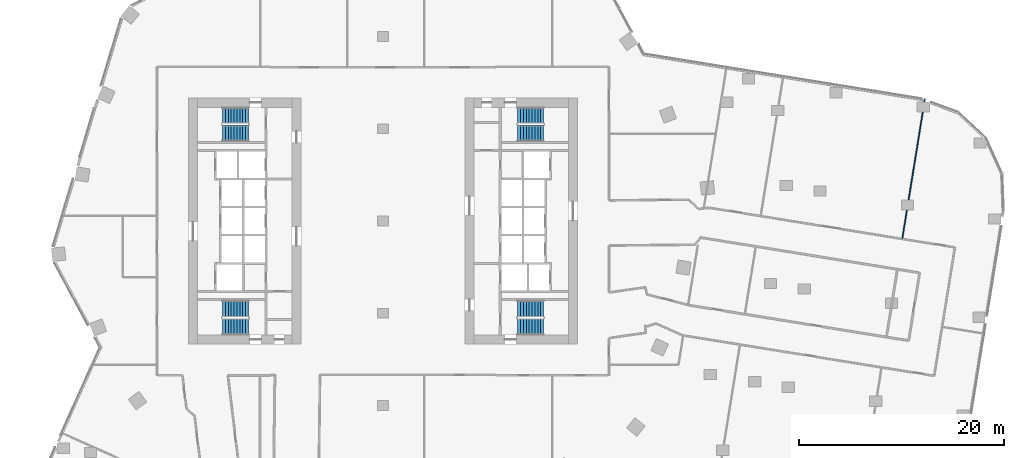
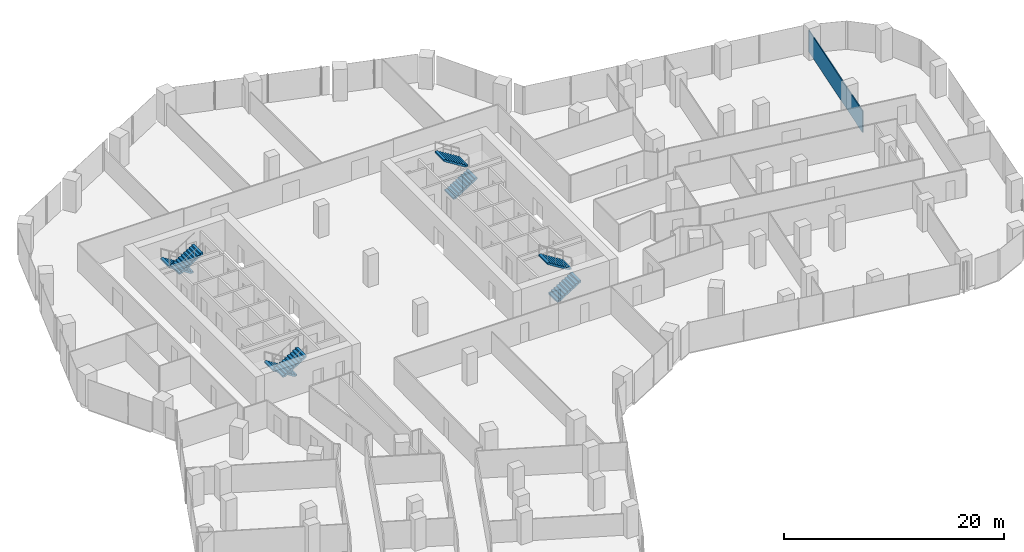
# One storey, part 30 of 34: 8 stair flights, 1 wall, 4 elements without a shape of their own.
"""IFC4 building model written with IfcOpenShell, lengths in metres."""

from ifc_helpers import new_model, si_unit, direction, frame, frame_2d, origin, place, context, subcontext, project, spatial, polyline, rectangle, outline, extrude, material, layer, layer_set, type_object, element, aggregate, save


model = new_model("IFC4")

# Units and contexts
model_context = context("Model", 3, precision=1e-05, world=origin(), true_north=direction((0.0, 1.0)))
body_context = subcontext(model_context, "Body", "Model", "MODEL_VIEW")
ifc_project = project(units=[si_unit("LENGTHUNIT", "METRE"), si_unit("AREAUNIT", "SQUARE_METRE"), si_unit("VOLUMEUNIT", "CUBIC_METRE"), si_unit("PLANEANGLEUNIT", "RADIAN"), si_unit("MASSUNIT", "GRAM", prefix="KILO")], contexts=[model_context])

# Site, building, storey
site_placement = place(None, origin())
site = spatial("IfcSite", under=ifc_project, at=site_placement, CompositionType="ELEMENT")
building_placement = place(site_placement, origin())
building = spatial("IfcBuilding", under=site, at=building_placement, Name="Orlundy Tower", CompositionType="ELEMENT")
storey_placement = place(building_placement, frame((0.0, 0.0, 134.199951171875)))
storey = spatial("IfcBuildingStorey", under=building, at=storey_placement, Name="L34", CompositionType="ELEMENT", Elevation=134.199951171875)

# Wall
ifc_material_1 = material(Name="Gypsum board partition")
ifc_layer = layer(ifc_material_1, 0.10009765625)
ifc_layer_set = layer_set([ifc_layer], Name="Floor partition 100 B")
wall_type = type_object("IfcWallType", Name="Floor partition 100 B", PredefinedType="PARTITIONING", material=ifc_layer_set)
wall_placement = place(storey_placement, frame((50.678955078125, -1.681884765625, 0.0), z_axis=(0.0, 0.0, 1.0), x_axis=(0.159341041875, 0.987223597963, 0.0)))
element("IfcWall", 1, at=wall_placement, inside=storey, type_object=wall_type, Name="wall-int-L34-066", PredefinedType="PARTITIONING", context=body_context, shape_type="SweptSolid", body=[
    extrude(rectangle(XDim=13.781982421875, YDim=0.10009765625, at=frame_2d((6.89111328125, 0.0))), origin(), (0.0, 0.0, 1.0), 2.39501953125),
])

# Stair, stair flights
ifc_material_2 = material(Name="Concrete C50/60", Category="concrete")
stair_type = type_object("IfcStairType", Name="Exit Stair 20 risers", PredefinedType="HALF_TURN_STAIR", material=ifc_material_2)
stair_1_placement = place(storey_placement, origin())
stair_1 = element("IfcStair", 2, at=stair_1_placement, inside=storey, type_object=stair_type, Name="L34 Exit Stair ST-W1", PredefinedType="HALF_TURN_STAIR")
ifc_material_3 = material(Name="Concrete C50/60", Category="concrete")
stair_flight_type = type_object("IfcStairFlightType", Name="Stair Flight 10 risers", PredefinedType="STRAIGHT", material=ifc_material_3)
stair_flight_1_placement = place(storey_placement, frame((-13.139892578125, 10.300048828125, 0.0), z_axis=(0.0, 0.0, 1.0), x_axis=(-1.0, 0.0, 0.0)))
stair_flight_1 = element("IfcStairFlight", 3, at=stair_flight_1_placement, type_object=stair_flight_type, Name="ST-W1 flight 1", NumberOfRisers=10, NumberOfTreads=9, PredefinedType="STRAIGHT", RiserHeight=0.175, TreadLength=0.28, context=body_context, shape_type="SweptSolid", body=[
    extrude(outline(polyline([(0.0, 0.0), (0.0, 0.175048828125), (0.280029296875, 0.175048828125), (0.280029296875, 0.35009765625), (0.56005859375, 0.35009765625), (0.56005859375, 0.52490234375), (0.840087890625, 0.52490234375), (0.840087890625, 0.699951171875), (1.1201171875, 0.699951171875), (1.1201171875, 0.875), (1.39990234375, 0.875), (1.39990234375, 1.050048828125), (1.679931640625, 1.050048828125), (1.679931640625, 1.22509765625), (1.9599609375, 1.22509765625), (1.9599609375, 1.39990234375), (2.239990234375, 1.39990234375), (2.239990234375, 1.574951171875), (2.52001953125, 1.574951171875), (2.52001953125, 1.75), (2.52001953125, 1.398193359375), (0.28271484375, 0.0), (0.0, 0.0)])), frame((0.0, 0.800048828125, 0.0), z_axis=(0.0, -1.0, 0.0), x_axis=(1.0, 0.0, 0.0)), (0.0, 0.0, 1.0), 1.60009765625),
])
stair_flight_2_placement = place(storey_placement, frame((-15.659912109375, 8.550048828125, 1.75), z_axis=(0.0, 0.0, 1.0), x_axis=(1.0, 0.0, 0.0)))
stair_flight_2 = element("IfcStairFlight", 4, at=stair_flight_2_placement, type_object=stair_flight_type, Name="ST-W1 flight 2", NumberOfRisers=10, NumberOfTreads=9, PredefinedType="STRAIGHT", RiserHeight=0.175, TreadLength=0.28, context=body_context, shape_type="SweptSolid", body=[
    extrude(outline(polyline([(0.0, 0.0), (0.0, 0.175048828125), (0.280029296875, 0.175048828125), (0.280029296875, 0.35009765625), (0.56005859375, 0.35009765625), (0.56005859375, 0.52490234375), (0.840087890625, 0.52490234375), (0.840087890625, 0.699951171875), (1.1201171875, 0.699951171875), (1.1201171875, 0.875), (1.39990234375, 0.875), (1.39990234375, 1.050048828125), (1.679931640625, 1.050048828125), (1.679931640625, 1.22509765625), (1.9599609375, 1.22509765625), (1.9599609375, 1.39990234375), (2.239990234375, 1.39990234375), (2.239990234375, 1.574951171875), (2.52001953125, 1.574951171875), (2.52001953125, 1.75), (2.52001953125, 1.398193359375), (0.28271484375, 0.0), (0.0, 0.0)])), frame((0.0, 0.800048828125, 0.0), z_axis=(0.0, -1.0, 0.0), x_axis=(1.0, 0.0, 0.0)), (0.0, 0.0, 1.0), 1.60009765625),
])
aggregate(stair_1, [stair_flight_1, stair_flight_2])

stair_2_placement = place(storey_placement, origin())
stair_2 = element("IfcStair", 5, at=stair_2_placement, inside=storey, type_object=stair_type, Name="L34 Exit Stair ST-W2", PredefinedType="HALF_TURN_STAIR")
stair_flight_3_placement = place(storey_placement, frame((-13.139892578125, -8.550048828125, 0.0), z_axis=(0.0, 0.0, 1.0), x_axis=(-1.0, 0.0, 0.0)))
stair_flight_3 = element("IfcStairFlight", 6, at=stair_flight_3_placement, type_object=stair_flight_type, Name="ST-W2 flight 1", NumberOfRisers=10, NumberOfTreads=9, PredefinedType="STRAIGHT", RiserHeight=0.175, TreadLength=0.28, context=body_context, shape_type="SweptSolid", body=[
    extrude(outline(polyline([(0.0, 0.0), (0.0, 0.175048828125), (0.280029296875, 0.175048828125), (0.280029296875, 0.35009765625), (0.56005859375, 0.35009765625), (0.56005859375, 0.52490234375), (0.840087890625, 0.52490234375), (0.840087890625, 0.699951171875), (1.1201171875, 0.699951171875), (1.1201171875, 0.875), (1.39990234375, 0.875), (1.39990234375, 1.050048828125), (1.679931640625, 1.050048828125), (1.679931640625, 1.22509765625), (1.9599609375, 1.22509765625), (1.9599609375, 1.39990234375), (2.239990234375, 1.39990234375), (2.239990234375, 1.574951171875), (2.52001953125, 1.574951171875), (2.52001953125, 1.75), (2.52001953125, 1.398193359375), (0.28271484375, 0.0), (0.0, 0.0)])), frame((0.0, 0.800048828125, 0.0), z_axis=(0.0, -1.0, 0.0), x_axis=(1.0, 0.0, 0.0)), (0.0, 0.0, 1.0), 1.60009765625),
])
stair_flight_4_placement = place(storey_placement, frame((-15.659912109375, -10.300048828125, 1.75), z_axis=(0.0, 0.0, 1.0), x_axis=(1.0, 0.0, 0.0)))
stair_flight_4 = element("IfcStairFlight", 7, at=stair_flight_4_placement, type_object=stair_flight_type, Name="ST-W2 flight 2", NumberOfRisers=10, NumberOfTreads=9, PredefinedType="STRAIGHT", RiserHeight=0.175, TreadLength=0.28, context=body_context, shape_type="SweptSolid", body=[
    extrude(outline(polyline([(0.0, 0.0), (0.0, 0.175048828125), (0.280029296875, 0.175048828125), (0.280029296875, 0.35009765625), (0.56005859375, 0.35009765625), (0.56005859375, 0.52490234375), (0.840087890625, 0.52490234375), (0.840087890625, 0.699951171875), (1.1201171875, 0.699951171875), (1.1201171875, 0.875), (1.39990234375, 0.875), (1.39990234375, 1.050048828125), (1.679931640625, 1.050048828125), (1.679931640625, 1.22509765625), (1.9599609375, 1.22509765625), (1.9599609375, 1.39990234375), (2.239990234375, 1.39990234375), (2.239990234375, 1.574951171875), (2.52001953125, 1.574951171875), (2.52001953125, 1.75), (2.52001953125, 1.398193359375), (0.28271484375, 0.0), (0.0, 0.0)])), frame((0.0, 0.800048828125, 0.0), z_axis=(0.0, -1.0, 0.0), x_axis=(1.0, 0.0, 0.0)), (0.0, 0.0, 1.0), 1.60009765625),
])
aggregate(stair_2, [stair_flight_3, stair_flight_4])

stair_3_placement = place(storey_placement, origin())
stair_3 = element("IfcStair", 8, at=stair_3_placement, inside=storey, type_object=stair_type, Name="L34 Exit Stair ST-E1", PredefinedType="HALF_TURN_STAIR")
stair_flight_5_placement = place(storey_placement, frame((13.139892578125, -10.300048828125, 0.0), z_axis=(0.0, 0.0, 1.0), x_axis=(1.0, 0.0, 0.0)))
stair_flight_5 = element("IfcStairFlight", 9, at=stair_flight_5_placement, type_object=stair_flight_type, Name="ST-E1 flight 1", NumberOfRisers=10, NumberOfTreads=9, PredefinedType="STRAIGHT", RiserHeight=0.175, TreadLength=0.28, context=body_context, shape_type="SweptSolid", body=[
    extrude(outline(polyline([(0.0, 0.0), (0.0, 0.175048828125), (0.280029296875, 0.175048828125), (0.280029296875, 0.35009765625), (0.56005859375, 0.35009765625), (0.56005859375, 0.52490234375), (0.840087890625, 0.52490234375), (0.840087890625, 0.699951171875), (1.1201171875, 0.699951171875), (1.1201171875, 0.875), (1.39990234375, 0.875), (1.39990234375, 1.050048828125), (1.679931640625, 1.050048828125), (1.679931640625, 1.22509765625), (1.9599609375, 1.22509765625), (1.9599609375, 1.39990234375), (2.239990234375, 1.39990234375), (2.239990234375, 1.574951171875), (2.52001953125, 1.574951171875), (2.52001953125, 1.75), (2.52001953125, 1.398193359375), (0.28271484375, 0.0), (0.0, 0.0)])), frame((0.0, 0.800048828125, 0.0), z_axis=(0.0, -1.0, 0.0), x_axis=(1.0, 0.0, 0.0)), (0.0, 0.0, 1.0), 1.60009765625),
])
stair_flight_6_placement = place(storey_placement, frame((15.659912109375, -8.550048828125, 1.75), z_axis=(0.0, 0.0, 1.0), x_axis=(-1.0, 0.0, 0.0)))
stair_flight_6 = element("IfcStairFlight", 10, at=stair_flight_6_placement, type_object=stair_flight_type, Name="ST-E1 flight 2", NumberOfRisers=10, NumberOfTreads=9, PredefinedType="STRAIGHT", RiserHeight=0.175, TreadLength=0.28, context=body_context, shape_type="SweptSolid", body=[
    extrude(outline(polyline([(0.0, 0.0), (0.0, 0.175048828125), (0.280029296875, 0.175048828125), (0.280029296875, 0.35009765625), (0.56005859375, 0.35009765625), (0.56005859375, 0.52490234375), (0.840087890625, 0.52490234375), (0.840087890625, 0.699951171875), (1.1201171875, 0.699951171875), (1.1201171875, 0.875), (1.39990234375, 0.875), (1.39990234375, 1.050048828125), (1.679931640625, 1.050048828125), (1.679931640625, 1.22509765625), (1.9599609375, 1.22509765625), (1.9599609375, 1.39990234375), (2.239990234375, 1.39990234375), (2.239990234375, 1.574951171875), (2.52001953125, 1.574951171875), (2.52001953125, 1.75), (2.52001953125, 1.398193359375), (0.28271484375, 0.0), (0.0, 0.0)])), frame((0.0, 0.800048828125, 0.0), z_axis=(0.0, -1.0, 0.0), x_axis=(1.0, 0.0, 0.0)), (0.0, 0.0, 1.0), 1.60009765625),
])
aggregate(stair_3, [stair_flight_5, stair_flight_6])

stair_4_placement = place(storey_placement, origin())
stair_4 = element("IfcStair", 11, at=stair_4_placement, inside=storey, type_object=stair_type, Name="L34 Exit Stair ST-E2", PredefinedType="HALF_TURN_STAIR")
stair_flight_7_placement = place(storey_placement, frame((13.139892578125, 8.550048828125, 0.0), z_axis=(0.0, 0.0, 1.0), x_axis=(1.0, 0.0, 0.0)))
stair_flight_7 = element("IfcStairFlight", 12, at=stair_flight_7_placement, type_object=stair_flight_type, Name="ST-E2 flight 1", NumberOfRisers=10, NumberOfTreads=9, PredefinedType="STRAIGHT", RiserHeight=0.175, TreadLength=0.28, context=body_context, shape_type="SweptSolid", body=[
    extrude(outline(polyline([(0.0, 0.0), (0.0, 0.175048828125), (0.280029296875, 0.175048828125), (0.280029296875, 0.35009765625), (0.56005859375, 0.35009765625), (0.56005859375, 0.52490234375), (0.840087890625, 0.52490234375), (0.840087890625, 0.699951171875), (1.1201171875, 0.699951171875), (1.1201171875, 0.875), (1.39990234375, 0.875), (1.39990234375, 1.050048828125), (1.679931640625, 1.050048828125), (1.679931640625, 1.22509765625), (1.9599609375, 1.22509765625), (1.9599609375, 1.39990234375), (2.239990234375, 1.39990234375), (2.239990234375, 1.574951171875), (2.52001953125, 1.574951171875), (2.52001953125, 1.75), (2.52001953125, 1.398193359375), (0.28271484375, 0.0), (0.0, 0.0)])), frame((0.0, 0.800048828125, 0.0), z_axis=(0.0, -1.0, 0.0), x_axis=(1.0, 0.0, 0.0)), (0.0, 0.0, 1.0), 1.60009765625),
])
stair_flight_8_placement = place(storey_placement, frame((15.659912109375, 10.300048828125, 1.75), z_axis=(0.0, 0.0, 1.0), x_axis=(-1.0, 0.0, 0.0)))
stair_flight_8 = element("IfcStairFlight", 13, at=stair_flight_8_placement, type_object=stair_flight_type, Name="ST-E2 flight 2", NumberOfRisers=10, NumberOfTreads=9, PredefinedType="STRAIGHT", RiserHeight=0.175, TreadLength=0.28, context=body_context, shape_type="SweptSolid", body=[
    extrude(outline(polyline([(0.0, 0.0), (0.0, 0.175048828125), (0.280029296875, 0.175048828125), (0.280029296875, 0.35009765625), (0.56005859375, 0.35009765625), (0.56005859375, 0.52490234375), (0.840087890625, 0.52490234375), (0.840087890625, 0.699951171875), (1.1201171875, 0.699951171875), (1.1201171875, 0.875), (1.39990234375, 0.875), (1.39990234375, 1.050048828125), (1.679931640625, 1.050048828125), (1.679931640625, 1.22509765625), (1.9599609375, 1.22509765625), (1.9599609375, 1.39990234375), (2.239990234375, 1.39990234375), (2.239990234375, 1.574951171875), (2.52001953125, 1.574951171875), (2.52001953125, 1.75), (2.52001953125, 1.398193359375), (0.28271484375, 0.0), (0.0, 0.0)])), frame((0.0, 0.800048828125, 0.0), z_axis=(0.0, -1.0, 0.0), x_axis=(1.0, 0.0, 0.0)), (0.0, 0.0, 1.0), 1.60009765625),
])
aggregate(stair_4, [stair_flight_7, stair_flight_8])

save(model, "model.ifc")
